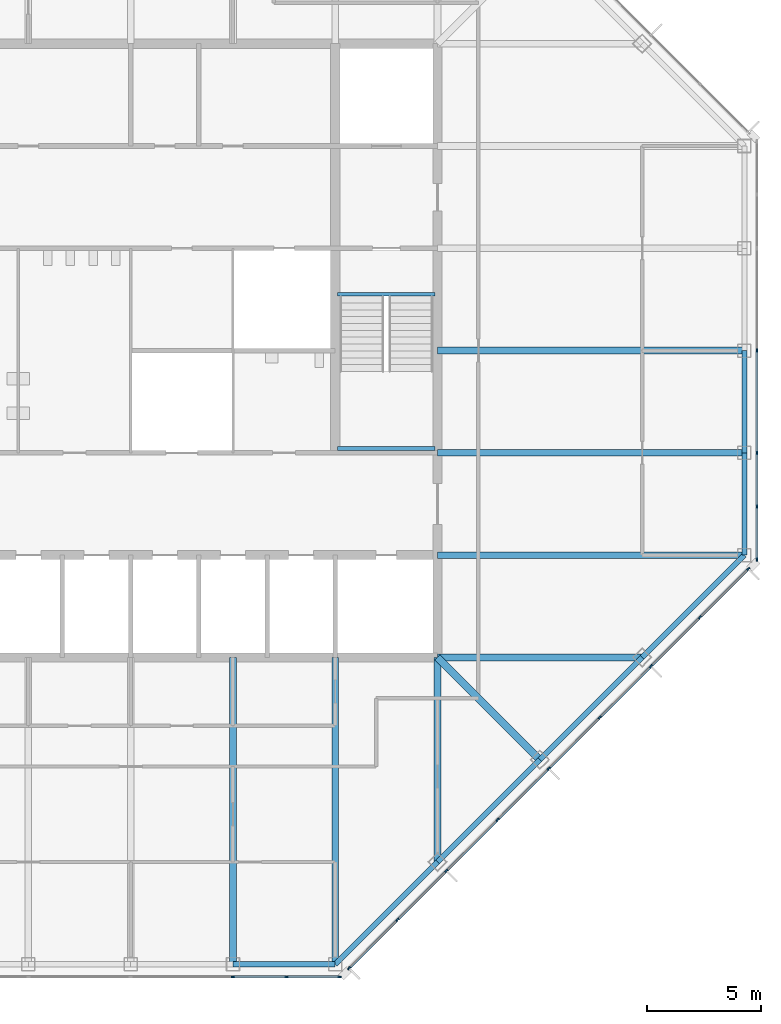
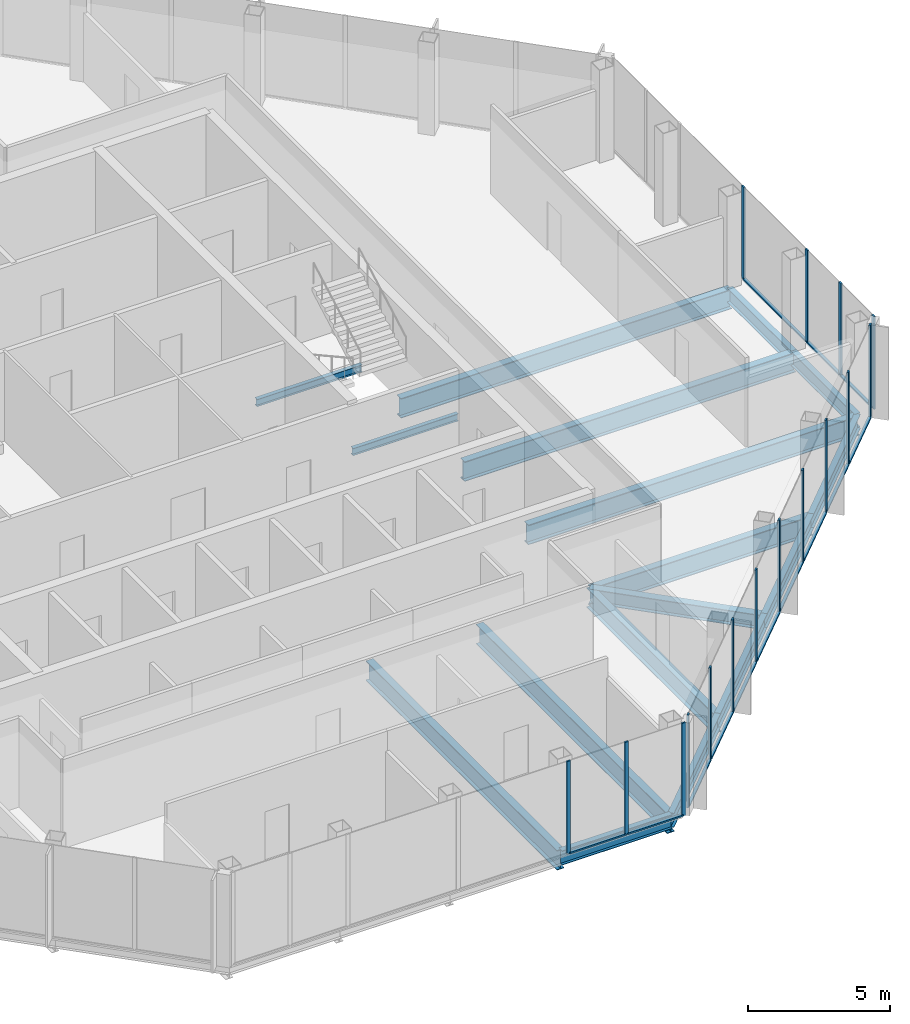
# One storey, part 4 of 14: 29 members, 17 beams, 3 elements without a shape of their own.
"""IFC4 building model written with IfcOpenShell, lengths in metres."""

from ifc_helpers import new_model, si_unit, direction, frame, origin, origin_2d, place, context, subcontext, project, spatial, rectangle, i_section, extrude, material, material_profile, profile_set, type_object, element, aggregate, save


model = new_model("IFC4")

# Units and contexts
model_context = context("Model", 3, precision=1e-05, world=origin(), true_north=direction((0.0, 1.0)))
body_context = subcontext(model_context, "Body", "Model", "MODEL_VIEW")
ifc_project = project(units=[si_unit("LENGTHUNIT", "METRE"), si_unit("AREAUNIT", "SQUARE_METRE"), si_unit("VOLUMEUNIT", "CUBIC_METRE"), si_unit("PLANEANGLEUNIT", "RADIAN"), si_unit("MASSUNIT", "GRAM", prefix="KILO")], contexts=[model_context])

# Site, building, storey
site_placement = place(None, origin())
site = spatial("IfcSite", under=ifc_project, at=site_placement, CompositionType="ELEMENT")
building_placement = place(site_placement, origin())
building = spatial("IfcBuilding", under=site, at=building_placement, Name="Corais Broadcast Tower", CompositionType="ELEMENT")
storey_placement = place(building_placement, frame((0.0, 0.0, 282.60009765625)))
storey = spatial("IfcBuildingStorey", under=building, at=storey_placement, Name="L66", CompositionType="ELEMENT", Elevation=282.60009765625)

# Beams
ifc_material_1 = material(Name="Steel ASTM A572 Grade 50", Category="steel")
ifc_material_profile_1 = material_profile(ifc_material_1, i_section(OverallWidth=0.323974609375, OverallDepth=0.611083984375, WebThickness=0.0126953125, FlangeThickness=0.01904296875, at=origin_2d()), Name="W610x155")
ifc_profile_set_1 = profile_set([ifc_material_profile_1], Name="Steel ASTM A572 Grade 50")
beam_type_1 = type_object("IfcBeamType", Name="Corner diagonal W610x155", PredefinedType="BEAM", material=ifc_profile_set_1)
beam_1_placement = place(storey_placement, frame((45.0, 9.0, -0.465576171875), z_axis=(-0.707106781187, 0.707106781187, 0.0), x_axis=(-0.707106781187, -0.707106781187, 0.0)))
element("IfcBeam", 1, at=beam_1_placement, inside=storey, type_object=beam_type_1, Name="B6 C/13 to D/12", PredefinedType="BEAM", context=body_context, shape_type="SweptSolid", body=[
    extrude(i_section(OverallWidth=0.323974609375, OverallDepth=0.611083984375, WebThickness=0.0126953125, FlangeThickness=0.01904296875, at=origin_2d()), origin(), (0.0, 0.0, 1.0), 6.364013671875),
])
ifc_material_2 = material(Name="Steel ASTM A572 Grade 50", Category="steel")
ifc_material_profile_2 = material_profile(ifc_material_2, i_section(OverallWidth=0.2939453125, OverallDepth=0.85107421875, WebThickness=0.01611328125, FlangeThickness=0.02685546875, at=origin_2d()), Name="W840x226")
ifc_profile_set_2 = profile_set([ifc_material_profile_2], Name="Steel ASTM A572 Grade 50")
beam_type_2 = type_object("IfcBeamType", Name="Floor beam W840x226", PredefinedType="BEAM", material=ifc_profile_set_2)
for number, where, z_axis, x_axis, name in (
    (2, (31.5, 0.0, -0.585693359375), (0.0, 1.0, 0.0), (-1.0, 0.0, 0.0), "B1 A/10 to D/10"),
    (3, (36.0, 0.0, -0.585693359375), (0.0, 1.0, 0.0), (-1.0, 0.0, 0.0), "B1 A/11 to D/11"),
):
    element("IfcBeam", number, at=place(storey_placement, frame(where, z_axis=z_axis, x_axis=x_axis)), inside=storey, type_object=beam_type_2, Name=name, PredefinedType="BEAM", context=body_context, shape_type="SweptSolid", body=[
        extrude(i_section(OverallWidth=0.2939453125, OverallDepth=0.85107421875, WebThickness=0.01611328125, FlangeThickness=0.02685546875, at=origin_2d()), origin(), (0.0, 0.0, 1.0), 13.5),
    ])
for number, where, z_axis, x_axis, name in (
    (4, (40.5, 4.5, -0.585693359375), (0.0, 1.0, 0.0), (-1.0, 0.0, 0.0), "B1 B/12 to D/12"),
    (5, (49.5, 13.5, -0.585693359375), (-1.0, 0.0, 0.0), (0.0, -1.0, 0.0), "B1 D/14 to D/12"),
):
    element("IfcBeam", number, at=place(storey_placement, frame(where, z_axis=z_axis, x_axis=x_axis)), inside=storey, type_object=beam_type_2, Name=name, PredefinedType="BEAM", context=body_context, shape_type="SweptSolid", body=[
        extrude(i_section(OverallWidth=0.2939453125, OverallDepth=0.85107421875, WebThickness=0.01611328125, FlangeThickness=0.02685546875, at=origin_2d()), origin(), (0.0, 0.0, 1.0), 9.0),
    ])
for number, where, z_axis, x_axis, name in (
    (6, (54.0, 18.0, -0.585693359375), (-1.0, 0.0, 0.0), (0.0, -1.0, 0.0), "B1 E/15 to E/12"),
    (7, (54.0, 22.5, -0.585693359375), (-1.0, 0.0, 0.0), (0.0, -1.0, 0.0), "B1 F/15 to F/12"),
    (8, (54.0, 27.0, -0.585693359375), (-1.0, 0.0, 0.0), (0.0, -1.0, 0.0), "B1 G/15 to G/12"),
):
    element("IfcBeam", number, at=place(storey_placement, frame(where, z_axis=z_axis, x_axis=x_axis)), inside=storey, type_object=beam_type_2, Name=name, PredefinedType="BEAM", context=body_context, shape_type="SweptSolid", body=[
        extrude(i_section(OverallWidth=0.2939453125, OverallDepth=0.85107421875, WebThickness=0.01611328125, FlangeThickness=0.02685546875, at=origin_2d()), origin(), (0.0, 0.0, 1.0), 13.5),
    ])
ifc_material_3 = material(Name="Steel ASTM A572 Grade 50", Category="steel")
ifc_material_profile_3 = material_profile(ifc_material_3, i_section(OverallWidth=0.1650390625, OverallDepth=0.31005859375, WebThickness=0.005859375, FlangeThickness=0.009765625, at=origin_2d()), Name="W310x38.7")
ifc_profile_set_3 = profile_set([ifc_material_profile_3], Name="Steel ASTM A572 Grade 50")
beam_type_3 = type_object("IfcBeamType", Name="Landing trimmer W310x38.7", PredefinedType="BEAM", material=ifc_profile_set_3)
for number, where, z_axis, x_axis, name in (
    (9, (36.10009765625, 29.47509765625, -0.35498046875), (1.0, 0.0, 0.0), (0.0, 1.0, 0.0), "LT1 stair B landing trimmer L66"),
    (10, (36.10009765625, 22.68994140625, 1.64501953125), (1.0, 0.0, 0.0), (0.0, 1.0, 0.0), "LT1 stair B half landing trimmer L66"),
):
    element("IfcBeam", number, at=place(storey_placement, frame(where, z_axis=z_axis, x_axis=x_axis)), inside=storey, type_object=beam_type_3, Name=name, PredefinedType="BEAM", context=body_context, shape_type="SweptSolid", body=[
        extrude(i_section(OverallWidth=0.1650390625, OverallDepth=0.31005859375, WebThickness=0.005859375, FlangeThickness=0.009765625, at=origin_2d()), origin(), (0.0, 0.0, 1.0), 4.2998046875),
    ])

# Curtain wall, members
ifc_material_4 = material(Name="Aluminium and glass", Category="aluminium")
curtain_wall_type = type_object("IfcCurtainWallType", Name="Unitised fritted curtain wall CW3", PredefinedType="NOTDEFINED", material=ifc_material_4)
curtain_wall_1_placement = place(storey_placement, origin())
curtain_wall_1 = element("IfcCurtainWall", 11, at=curtain_wall_1_placement, inside=storey, type_object=curtain_wall_type, Name="CW3 curtain wall L66 6", PredefinedType="NOTDEFINED")
ifc_material_5 = material(Name="Aluminium 6063-T6", Category="aluminium")
ifc_material_profile_4 = material_profile(ifc_material_5, rectangle(XDim=0.06494140625, YDim=0.159912109375, at=origin_2d()), Name="Mullion CW3 65x160")
ifc_profile_set_4 = profile_set([ifc_material_profile_4], Name="Aluminium 6063-T6")
member_type_1 = type_object("IfcMemberType", Name="Mullion CW3 65x160", PredefinedType="MULLION", material=ifc_profile_set_4)
member_1_placement = place(storey_placement, frame((54.550048828125, 27.0, 0.0), z_axis=(0.0, 0.0, 1.0), x_axis=(1.0, 0.0, 0.0)))
member_1 = element("IfcMember", 12, at=member_1_placement, type_object=member_type_1, Name="CW3 mullion 4", PredefinedType="MULLION", context=body_context, shape_type="SweptSolid", body=[
    extrude(rectangle(XDim=0.06494140625, YDim=0.159912109375, at=origin_2d()), origin(), (0.0, 0.0, 1.0), 4.0),
])
member_2_placement = place(storey_placement, frame((54.550048828125, 22.5, 0.0), z_axis=(0.0, 0.0, 1.0), x_axis=(1.0, 0.0, 0.0)))
member_2 = element("IfcMember", 13, at=member_2_placement, type_object=member_type_1, Name="CW3 mullion 5", PredefinedType="MULLION", context=body_context, shape_type="SweptSolid", body=[
    extrude(rectangle(XDim=0.06494140625, YDim=0.159912109375, at=origin_2d()), origin(), (0.0, 0.0, 1.0), 4.0),
])
member_3_placement = place(storey_placement, frame((54.550048828125, 20.135986328125, 0.0), z_axis=(0.0, 0.0, 1.0), x_axis=(1.0, 0.0, 0.0)))
member_3 = element("IfcMember", 14, at=member_3_placement, type_object=member_type_1, Name="CW3 mullion 6", PredefinedType="MULLION", context=body_context, shape_type="SweptSolid", body=[
    extrude(rectangle(XDim=0.06494140625, YDim=0.159912109375, at=origin_2d()), origin(), (0.0, 0.0, 1.0), 4.0),
])
member_4_placement = place(storey_placement, frame((54.550048828125, 17.8046875, 0.0), z_axis=(0.0, 0.0, 1.0), x_axis=(1.0, 0.0, 0.0)))
member_4 = element("IfcMember", 15, at=member_4_placement, type_object=member_type_1, Name="CW3 mullion 7", PredefinedType="MULLION", context=body_context, shape_type="SweptSolid", body=[
    extrude(rectangle(XDim=0.06494140625, YDim=0.159912109375, at=origin_2d()), origin(), (0.0, 0.0, 1.0), 4.0),
])

curtain_wall_2_placement = place(storey_placement, origin())
curtain_wall_2 = element("IfcCurtainWall", 16, at=curtain_wall_2_placement, inside=storey, type_object=curtain_wall_type, Name="CW3 curtain wall L66 7", PredefinedType="NOTDEFINED")
member_5_placement = place(storey_placement, frame((54.17333984375, 17.3955078125, 0.0), z_axis=(0.0, 0.0, 1.0), x_axis=(0.707106781187, -0.707106781187, 0.0)))
member_5 = element("IfcMember", 17, at=member_5_placement, type_object=member_type_1, Name="CW3 mullion 1", PredefinedType="MULLION", context=body_context, shape_type="SweptSolid", body=[
    extrude(rectangle(XDim=0.06494140625, YDim=0.159912109375, at=origin_2d()), origin(), (0.0, 0.0, 1.0), 4.0),
])
member_6_placement = place(storey_placement, frame((52.042724609375, 15.264892578125, 0.0), z_axis=(0.0, 0.0, 1.0), x_axis=(0.707106781187, -0.707106781187, 0.0)))
member_6 = element("IfcMember", 18, at=member_6_placement, type_object=member_type_1, Name="CW3 mullion 2", PredefinedType="MULLION", context=body_context, shape_type="SweptSolid", body=[
    extrude(rectangle(XDim=0.06494140625, YDim=0.159912109375, at=origin_2d()), origin(), (0.0, 0.0, 1.0), 4.0),
])
member_7_placement = place(storey_placement, frame((49.888916015625, 13.111083984375, 0.0), z_axis=(0.0, 0.0, 1.0), x_axis=(0.707106781187, -0.707106781187, 0.0)))
member_7 = element("IfcMember", 19, at=member_7_placement, type_object=member_type_1, Name="CW3 mullion 3", PredefinedType="MULLION", context=body_context, shape_type="SweptSolid", body=[
    extrude(rectangle(XDim=0.06494140625, YDim=0.159912109375, at=origin_2d()), origin(), (0.0, 0.0, 1.0), 4.0),
])
member_8_placement = place(storey_placement, frame((47.638916015625, 10.861083984375, 0.0), z_axis=(0.0, 0.0, 1.0), x_axis=(0.707106781187, -0.707106781187, 0.0)))
member_8 = element("IfcMember", 20, at=member_8_placement, type_object=member_type_1, Name="CW3 mullion 4", PredefinedType="MULLION", context=body_context, shape_type="SweptSolid", body=[
    extrude(rectangle(XDim=0.06494140625, YDim=0.159912109375, at=origin_2d()), origin(), (0.0, 0.0, 1.0), 4.0),
])
member_9_placement = place(storey_placement, frame((45.388916015625, 8.611083984375, 0.0), z_axis=(0.0, 0.0, 1.0), x_axis=(0.707106781187, -0.707106781187, 0.0)))
member_9 = element("IfcMember", 21, at=member_9_placement, type_object=member_type_1, Name="CW3 mullion 5", PredefinedType="MULLION", context=body_context, shape_type="SweptSolid", body=[
    extrude(rectangle(XDim=0.06494140625, YDim=0.159912109375, at=origin_2d()), origin(), (0.0, 0.0, 1.0), 4.0),
])
member_10_placement = place(storey_placement, frame((43.138916015625, 6.361083984375, 0.0), z_axis=(0.0, 0.0, 1.0), x_axis=(0.707106781187, -0.707106781187, 0.0)))
member_10 = element("IfcMember", 22, at=member_10_placement, type_object=member_type_1, Name="CW3 mullion 6", PredefinedType="MULLION", context=body_context, shape_type="SweptSolid", body=[
    extrude(rectangle(XDim=0.06494140625, YDim=0.159912109375, at=origin_2d()), origin(), (0.0, 0.0, 1.0), 4.0),
])
member_11_placement = place(storey_placement, frame((40.888916015625, 4.111083984375, 0.0), z_axis=(0.0, 0.0, 1.0), x_axis=(0.707106781187, -0.707106781187, 0.0)))
member_11 = element("IfcMember", 23, at=member_11_placement, type_object=member_type_1, Name="CW3 mullion 7", PredefinedType="MULLION", context=body_context, shape_type="SweptSolid", body=[
    extrude(rectangle(XDim=0.06494140625, YDim=0.159912109375, at=origin_2d()), origin(), (0.0, 0.0, 1.0), 4.0),
])
member_12_placement = place(storey_placement, frame((38.735107421875, 1.957275390625, 0.0), z_axis=(0.0, 0.0, 1.0), x_axis=(0.707106781187, -0.707106781187, 0.0)))
member_12 = element("IfcMember", 24, at=member_12_placement, type_object=member_type_1, Name="CW3 mullion 8", PredefinedType="MULLION", context=body_context, shape_type="SweptSolid", body=[
    extrude(rectangle(XDim=0.06494140625, YDim=0.159912109375, at=origin_2d()), origin(), (0.0, 0.0, 1.0), 4.0),
])
member_13_placement = place(storey_placement, frame((36.6044921875, -0.17333984375, 0.0), z_axis=(0.0, 0.0, 1.0), x_axis=(0.707106781187, -0.707106781187, 0.0)))
member_13 = element("IfcMember", 25, at=member_13_placement, type_object=member_type_1, Name="CW3 mullion 9", PredefinedType="MULLION", context=body_context, shape_type="SweptSolid", body=[
    extrude(rectangle(XDim=0.06494140625, YDim=0.159912109375, at=origin_2d()), origin(), (0.0, 0.0, 1.0), 4.0),
])

curtain_wall_3_placement = place(storey_placement, origin())
curtain_wall_3 = element("IfcCurtainWall", 26, at=curtain_wall_3_placement, inside=storey, type_object=curtain_wall_type, Name="CW3 curtain wall L66 8", PredefinedType="NOTDEFINED")
member_14_placement = place(storey_placement, frame((36.1953125, -0.550048828125, 0.0), z_axis=(0.0, 0.0, 1.0), x_axis=(0.0, -1.0, 0.0)))
member_14 = element("IfcMember", 27, at=member_14_placement, type_object=member_type_1, Name="CW3 mullion 1", PredefinedType="MULLION", context=body_context, shape_type="SweptSolid", body=[
    extrude(rectangle(XDim=0.06494140625, YDim=0.159912109375, at=origin_2d()), origin(), (0.0, 0.0, 1.0), 4.0),
])
member_15_placement = place(storey_placement, frame((33.864013671875, -0.550048828125, 0.0), z_axis=(0.0, 0.0, 1.0), x_axis=(0.0, -1.0, 0.0)))
member_15 = element("IfcMember", 28, at=member_15_placement, type_object=member_type_1, Name="CW3 mullion 2", PredefinedType="MULLION", context=body_context, shape_type="SweptSolid", body=[
    extrude(rectangle(XDim=0.06494140625, YDim=0.159912109375, at=origin_2d()), origin(), (0.0, 0.0, 1.0), 4.0),
])
member_16_placement = place(storey_placement, frame((31.5, -0.550048828125, 0.0), z_axis=(0.0, 0.0, 1.0), x_axis=(0.0, -1.0, 0.0)))
member_16 = element("IfcMember", 29, at=member_16_placement, type_object=member_type_1, Name="CW3 mullion 3", PredefinedType="MULLION", context=body_context, shape_type="SweptSolid", body=[
    extrude(rectangle(XDim=0.06494140625, YDim=0.159912109375, at=origin_2d()), origin(), (0.0, 0.0, 1.0), 4.0),
])

# Beams
ifc_material_6 = material(Name="Steel ASTM A572 Grade 50", Category="steel")
ifc_material_profile_5 = material_profile(ifc_material_6, i_section(OverallWidth=0.22998046875, OverallDepth=0.616943359375, WebThickness=0.01318359375, FlangeThickness=0.022216796875, at=origin_2d()), Name="W610x140")
ifc_profile_set_5 = profile_set([ifc_material_profile_5], Name="Steel ASTM A572 Grade 50")
beam_type_4 = type_object("IfcBeamType", Name="Spandrel W610x140", PredefinedType="BEAM", material=ifc_profile_set_5)
beam_2_placement = place(storey_placement, frame((31.5, 0.0, -0.468505859375), z_axis=(1.0, 0.0, 0.0), x_axis=(0.0, 1.0, 0.0)))
element("IfcBeam", 30, at=beam_2_placement, inside=storey, type_object=beam_type_4, Name="SB3 A/10 to A/11", PredefinedType="BEAM", context=body_context, shape_type="SweptSolid", body=[
    extrude(i_section(OverallWidth=0.22998046875, OverallDepth=0.616943359375, WebThickness=0.01318359375, FlangeThickness=0.022216796875, at=origin_2d()), origin(), (0.0, 0.0, 1.0), 4.5),
])
for number, where, z_axis, x_axis, name in (
    (31, (36.0, 0.0, -0.468505859375), (0.707106781187, 0.707106781187, 0.0), (-0.707106781187, 0.707106781187, 0.0), "SB3 A/11 to B/12"),
    (32, (40.5, 4.5, -0.468505859375), (0.707106781187, 0.707106781187, 0.0), (-0.707106781187, 0.707106781187, 0.0), "SB3 B/12 to C/13"),
    (33, (45.0, 9.0, -0.468505859375), (0.707106781187, 0.707106781187, 0.0), (-0.707106781187, 0.707106781187, 0.0), "SB3 C/13 to D/14"),
    (34, (49.5, 13.5, -0.468505859375), (0.707106781187, 0.707106781187, 0.0), (-0.707106781187, 0.707106781187, 0.0), "SB3 D/14 to E/15"),
):
    element("IfcBeam", number, at=place(storey_placement, frame(where, z_axis=z_axis, x_axis=x_axis)), inside=storey, type_object=beam_type_4, Name=name, PredefinedType="BEAM", context=body_context, shape_type="SweptSolid", body=[
        extrude(i_section(OverallWidth=0.22998046875, OverallDepth=0.616943359375, WebThickness=0.01318359375, FlangeThickness=0.022216796875, at=origin_2d()), origin(), (0.0, 0.0, 1.0), 6.364013671875),
    ])
for number, where, z_axis, x_axis, name in (
    (35, (54.0, 18.0, -0.468505859375), (0.0, 1.0, 0.0), (-1.0, 0.0, 0.0), "SB3 E/15 to F/15"),
    (36, (54.0, 22.5, -0.468505859375), (0.0, 1.0, 0.0), (-1.0, 0.0, 0.0), "SB3 F/15 to G/15"),
):
    element("IfcBeam", number, at=place(storey_placement, frame(where, z_axis=z_axis, x_axis=x_axis)), inside=storey, type_object=beam_type_4, Name=name, PredefinedType="BEAM", context=body_context, shape_type="SweptSolid", body=[
        extrude(i_section(OverallWidth=0.22998046875, OverallDepth=0.616943359375, WebThickness=0.01318359375, FlangeThickness=0.022216796875, at=origin_2d()), origin(), (0.0, 0.0, 1.0), 4.5),
    ])

# Member
ifc_material_7 = material(Name="Aluminium 6063-T6", Category="aluminium")
ifc_material_profile_6 = material_profile(ifc_material_7, rectangle(XDim=0.1201171875, YDim=0.06494140625, at=origin_2d()), Name="Transom CW3 65x120")
ifc_profile_set_6 = profile_set([ifc_material_profile_6], Name="Aluminium 6063-T6")
member_type_2 = type_object("IfcMemberType", Name="Transom CW3 65x120", PredefinedType="USERDEFINED", material=ifc_profile_set_6)
member_17_placement = place(storey_placement, frame((54.550048828125, 26.967529296875, 0.032470703125), z_axis=(0.0, -1.0, 0.0), x_axis=(1.0, 0.0, 0.0)))
member_17 = element("IfcMember", 37, at=member_17_placement, type_object=member_type_2, Name="CW3 transom 4.1", ObjectType="TRANSOM", PredefinedType="USERDEFINED", context=body_context, shape_type="SweptSolid", body=[
    extrude(rectangle(XDim=0.1201171875, YDim=0.06494140625, at=origin_2d()), origin(), (0.0, 0.0, 1.0), 4.43505859375),
])

member_18_placement = place(storey_placement, frame((54.550048828125, 22.467529296875, 0.032470703125), z_axis=(0.0, -1.0, 0.0), x_axis=(1.0, 0.0, 0.0)))
member_18 = element("IfcMember", 38, at=member_18_placement, type_object=member_type_2, Name="CW3 transom 5.1", ObjectType="TRANSOM", PredefinedType="USERDEFINED", context=body_context, shape_type="SweptSolid", body=[
    extrude(rectangle(XDim=0.1201171875, YDim=0.06494140625, at=origin_2d()), origin(), (0.0, 0.0, 1.0), 2.298828125),
])

member_19_placement = place(storey_placement, frame((54.550048828125, 20.103515625, 0.032470703125), z_axis=(0.0, -1.0, 0.0), x_axis=(1.0, 0.0, 0.0)))
member_19 = element("IfcMember", 39, at=member_19_placement, type_object=member_type_2, Name="CW3 transom 6.1", ObjectType="TRANSOM", PredefinedType="USERDEFINED", context=body_context, shape_type="SweptSolid", body=[
    extrude(rectangle(XDim=0.1201171875, YDim=0.06494140625, at=origin_2d()), origin(), (0.0, 0.0, 1.0), 2.266357421875),
])

aggregate(curtain_wall_1, [member_1, member_2, member_3, member_4, member_17, member_18, member_19])

member_20_placement = place(storey_placement, frame((54.150390625, 17.37255859375, 0.032470703125), z_axis=(-0.707106781187, -0.707106781187, 0.0), x_axis=(0.707106781187, -0.707106781187, 0.0)))
member_20 = element("IfcMember", 40, at=member_20_placement, type_object=member_type_2, Name="CW3 transom 1.1", ObjectType="TRANSOM", PredefinedType="USERDEFINED", context=body_context, shape_type="SweptSolid", body=[
    extrude(rectangle(XDim=0.1201171875, YDim=0.06494140625, at=origin_2d()), origin(), (0.0, 0.0, 1.0), 2.9482421875),
])

member_21_placement = place(storey_placement, frame((52.019775390625, 15.241943359375, 0.032470703125), z_axis=(-0.707106781187, -0.707106781187, 0.0), x_axis=(0.707106781187, -0.707106781187, 0.0)))
member_21 = element("IfcMember", 41, at=member_21_placement, type_object=member_type_2, Name="CW3 transom 2.1", ObjectType="TRANSOM", PredefinedType="USERDEFINED", context=body_context, shape_type="SweptSolid", body=[
    extrude(rectangle(XDim=0.1201171875, YDim=0.06494140625, at=origin_2d()), origin(), (0.0, 0.0, 1.0), 2.98095703125),
])

member_22_placement = place(storey_placement, frame((49.865966796875, 13.088134765625, 0.032470703125), z_axis=(-0.707106781187, -0.707106781187, 0.0), x_axis=(0.707106781187, -0.707106781187, 0.0)))
member_22 = element("IfcMember", 42, at=member_22_placement, type_object=member_type_2, Name="CW3 transom 3.1", ObjectType="TRANSOM", PredefinedType="USERDEFINED", context=body_context, shape_type="SweptSolid", body=[
    extrude(rectangle(XDim=0.1201171875, YDim=0.06494140625, at=origin_2d()), origin(), (0.0, 0.0, 1.0), 3.1171875),
])

member_23_placement = place(storey_placement, frame((47.615966796875, 10.838134765625, 0.032470703125), z_axis=(-0.707106781187, -0.707106781187, 0.0), x_axis=(0.707106781187, -0.707106781187, 0.0)))
member_23 = element("IfcMember", 43, at=member_23_placement, type_object=member_type_2, Name="CW3 transom 4.1", ObjectType="TRANSOM", PredefinedType="USERDEFINED", context=body_context, shape_type="SweptSolid", body=[
    extrude(rectangle(XDim=0.1201171875, YDim=0.06494140625, at=origin_2d()), origin(), (0.0, 0.0, 1.0), 3.1171875),
])

member_24_placement = place(storey_placement, frame((45.365966796875, 8.588134765625, 0.032470703125), z_axis=(-0.707106781187, -0.707106781187, 0.0), x_axis=(0.707106781187, -0.707106781187, 0.0)))
member_24 = element("IfcMember", 44, at=member_24_placement, type_object=member_type_2, Name="CW3 transom 5.1", ObjectType="TRANSOM", PredefinedType="USERDEFINED", context=body_context, shape_type="SweptSolid", body=[
    extrude(rectangle(XDim=0.1201171875, YDim=0.06494140625, at=origin_2d()), origin(), (0.0, 0.0, 1.0), 3.1171875),
])

member_25_placement = place(storey_placement, frame((43.115966796875, 6.338134765625, 0.032470703125), z_axis=(-0.707106781187, -0.707106781187, 0.0), x_axis=(0.707106781187, -0.707106781187, 0.0)))
member_25 = element("IfcMember", 45, at=member_25_placement, type_object=member_type_2, Name="CW3 transom 6.1", ObjectType="TRANSOM", PredefinedType="USERDEFINED", context=body_context, shape_type="SweptSolid", body=[
    extrude(rectangle(XDim=0.1201171875, YDim=0.06494140625, at=origin_2d()), origin(), (0.0, 0.0, 1.0), 3.1171875),
])

member_26_placement = place(storey_placement, frame((40.865966796875, 4.088134765625, 0.032470703125), z_axis=(-0.70714773134, -0.707065828661, 0.0), x_axis=(0.707065828661, -0.70714773134, 0.0)))
member_26 = element("IfcMember", 46, at=member_26_placement, type_object=member_type_2, Name="CW3 transom 7.1", ObjectType="TRANSOM", PredefinedType="USERDEFINED", context=body_context, shape_type="SweptSolid", body=[
    extrude(rectangle(XDim=0.1201171875, YDim=0.06494140625, at=origin_2d()), origin(), (0.0, 0.0, 1.0), 2.98095703125),
])

member_27_placement = place(storey_placement, frame((38.712158203125, 1.934326171875, 0.032470703125), z_axis=(-0.707106781187, -0.707106781187, 0.0), x_axis=(0.707106781187, -0.707106781187, 0.0)))
member_27 = element("IfcMember", 47, at=member_27_placement, type_object=member_type_2, Name="CW3 transom 8.1", ObjectType="TRANSOM", PredefinedType="USERDEFINED", context=body_context, shape_type="SweptSolid", body=[
    extrude(rectangle(XDim=0.1201171875, YDim=0.06494140625, at=origin_2d()), origin(), (0.0, 0.0, 1.0), 2.9482421875),
])

aggregate(curtain_wall_2, [member_5, member_6, member_7, member_8, member_9, member_10, member_11, member_12, member_13, member_20, member_21, member_22, member_23, member_24, member_25, member_26, member_27])

member_28_placement = place(storey_placement, frame((36.162841796875, -0.550048828125, 0.032470703125), z_axis=(-1.0, 0.0, 0.0), x_axis=(0.0, -1.0, 0.0)))
member_28 = element("IfcMember", 48, at=member_28_placement, type_object=member_type_2, Name="CW3 transom 1.1", ObjectType="TRANSOM", PredefinedType="USERDEFINED", context=body_context, shape_type="SweptSolid", body=[
    extrude(rectangle(XDim=0.1201171875, YDim=0.06494140625, at=origin_2d()), origin(), (0.0, 0.0, 1.0), 2.266357421875),
])

member_29_placement = place(storey_placement, frame((33.831298828125, -0.550048828125, 0.032470703125), z_axis=(-1.0, 0.0, 0.0), x_axis=(0.0, -1.0, 0.0)))
member_29 = element("IfcMember", 49, at=member_29_placement, type_object=member_type_2, Name="CW3 transom 2.1", ObjectType="TRANSOM", PredefinedType="USERDEFINED", context=body_context, shape_type="SweptSolid", body=[
    extrude(rectangle(XDim=0.1201171875, YDim=0.06494140625, at=origin_2d()), origin(), (0.0, 0.0, 1.0), 2.298828125),
])

aggregate(curtain_wall_3, [member_14, member_15, member_16, member_28, member_29])

save(model, "model.ifc")
